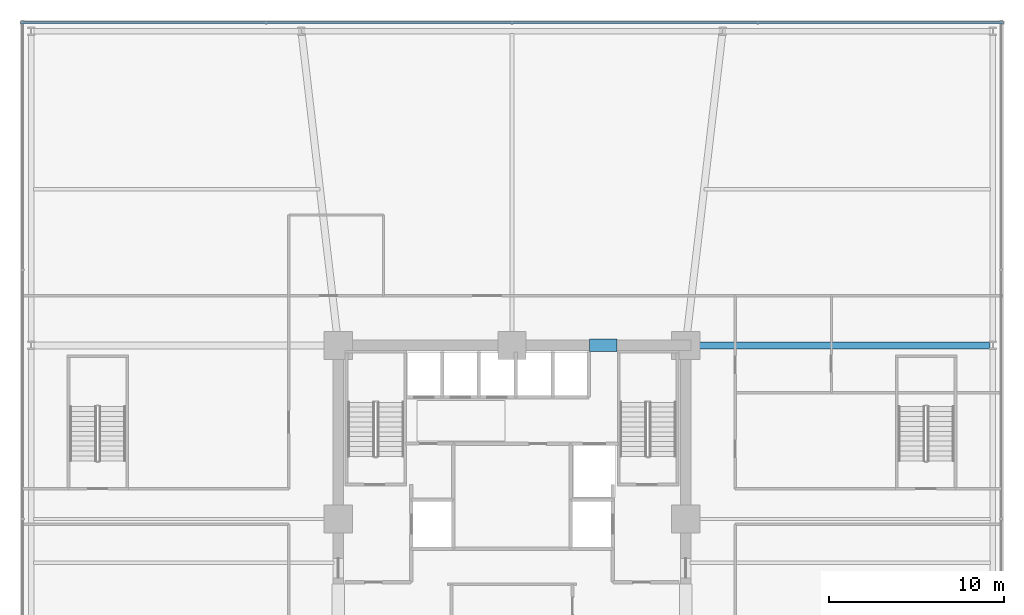
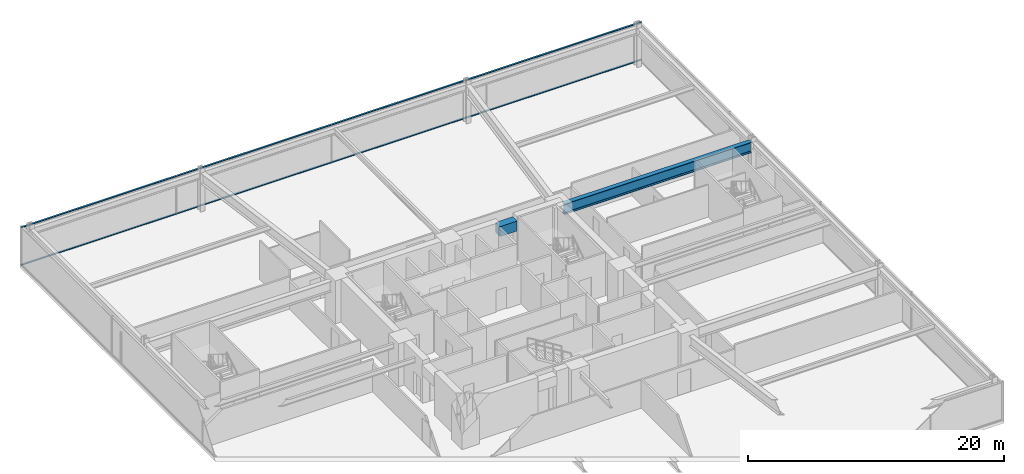
# One storey, part 27 of 39: 2 beams, 2 members, 1 element without a shape of its own.
"""IFC4 building model written with IfcOpenShell, lengths in metres."""

from ifc_helpers import new_model, si_unit, direction, frame, origin, origin_2d, place, context, subcontext, project, spatial, rectangle, hollow_rectangle, i_section, extrude, material, material_profile, profile_set, type_object, element, aggregate, save


model = new_model("IFC4")

# Units and contexts
model_context = context("Model", 3, precision=1e-05, world=origin(), true_north=direction((0.0, 1.0)))
body_context = subcontext(model_context, "Body", "Model", "MODEL_VIEW")
ifc_project = project(units=[si_unit("LENGTHUNIT", "METRE"), si_unit("AREAUNIT", "SQUARE_METRE"), si_unit("VOLUMEUNIT", "CUBIC_METRE"), si_unit("PLANEANGLEUNIT", "RADIAN"), si_unit("MASSUNIT", "GRAM", prefix="KILO")], contexts=[model_context])

# Site, building, storey
site_placement = place(None, origin())
site = spatial("IfcSite", under=ifc_project, at=site_placement, CompositionType="ELEMENT")
building_placement = place(site_placement, origin())
building = spatial("IfcBuilding", under=site, at=building_placement, Name="Kolvaren Belvedere", CompositionType="ELEMENT")
storey_placement = place(building_placement, frame((0.0, 0.0, 15.199951171875)))
storey = spatial("IfcBuildingStorey", under=building, at=storey_placement, Name="L04", CompositionType="ELEMENT", Elevation=15.199951171875)

# Beams
ifc_material_1 = material(Name="Structural steel ASTM A992 Grade 50", Category="steel")
ifc_material_profile_1 = material_profile(ifc_material_1, i_section(OverallWidth=0.40087890625, OverallDepth=1.010986328125, WebThickness=0.023681640625, FlangeThickness=0.0419921875, FilletRadius=0.030029296875, at=origin_2d()), Name="W40X297")
ifc_profile_set_1 = profile_set([ifc_material_profile_1], Name="Structural steel ASTM A992 Grade 50")
beam_type_1 = type_object("IfcBeamType", Name="BM-BALL-W40X297", PredefinedType="BEAM", material=ifc_profile_set_1)
beam_1_placement = place(storey_placement, frame((10.35009765625, 9.89990234375, 3.194580078125), z_axis=(1.0, 0.0, 0.0), x_axis=(0.0, 1.0, 0.0)))
element("IfcBeam", 1, at=beam_1_placement, inside=storey, type_object=beam_type_1, Name="L04 East Interior Girder N", PredefinedType="BEAM", context=body_context, shape_type="SweptSolid", body=[
    extrude(i_section(OverallWidth=0.40087890625, OverallDepth=1.010986328125, WebThickness=0.023681640625, FlangeThickness=0.0419921875, FilletRadius=0.030029296875, at=origin_2d()), origin(), (0.0, 0.0, 1.0), 16.89990234375),
])
ifc_material_2 = material(Name="Concrete C60/75", Category="concrete")
ifc_material_profile_2 = material_profile(ifc_material_2, rectangle(XDim=0.699951171875, YDim=0.949951171875, at=origin_2d()), Name="RC 700X950")
ifc_profile_set_2 = profile_set([ifc_material_profile_2], Name="Concrete C60/75")
beam_type_2 = type_object("IfcBeamType", Name="BM-LINT-950", PredefinedType="LINTEL", material=ifc_profile_set_2)
beam_2_placement = place(storey_placement, frame((4.419921875, 9.89990234375, 3.22509765625), z_axis=(1.0, 0.0, 0.0), x_axis=(0.0, 1.0, 0.0)))
element("IfcBeam", 2, at=beam_2_placement, inside=storey, type_object=beam_type_2, Name="L04 North Core Coupling Lintel", PredefinedType="LINTEL", context=body_context, shape_type="SweptSolid", body=[
    extrude(rectangle(XDim=0.699951171875, YDim=0.949951171875, at=origin_2d()), origin(), (0.0, 0.0, 1.0), 1.56005859375),
])

# Curtain wall, members
ifc_material_3 = material(Name="Anodised pale-metal aluminium AA 6063-T6", Category="aluminium")
curtain_wall_type = type_object("IfcCurtainWallType", Name="CW-POD-A", PredefinedType="NOTDEFINED", material=ifc_material_3)
curtain_wall_placement = place(storey_placement, origin())
curtain_wall = element("IfcCurtainWall", 3, at=curtain_wall_placement, inside=storey, type_object=curtain_wall_type, Name="L04 Unitised Curtain Wall FCW-L04-N", PredefinedType="NOTDEFINED")
ifc_material_4 = material(Name="Anodised pale-metal aluminium AA 6063-T6", Category="aluminium")
ifc_material_profile_3 = material_profile(ifc_material_4, hollow_rectangle(XDim=0.06494140625, YDim=0.159912109375, WallThickness=0.00390625, at=origin_2d()), Name="ALU-TRN-160X65")
ifc_profile_set_3 = profile_set([ifc_material_profile_3], Name="Anodised pale-metal aluminium AA 6063-T6")
member_type = type_object("IfcMemberType", Name="CW-TRN-160", PredefinedType="USERDEFINED", material=ifc_profile_set_3)
member_1_placement = place(storey_placement, frame((-28.0, 28.280029296875, 0.06005859375), z_axis=(1.0, 0.0, 0.0), x_axis=(0.0, 0.0, 1.0)))
member_1 = element("IfcMember", 4, at=member_1_placement, type_object=member_type, Name="FCW-L04-N Sill Transom", ObjectType="TRANSOM", PredefinedType="USERDEFINED", context=body_context, shape_type="SweptSolid", body=[
    extrude(hollow_rectangle(XDim=0.06494140625, YDim=0.159912109375, WallThickness=0.00390625, at=origin_2d()), origin(), (0.0, 0.0, 1.0), 56.0),
])
member_2_placement = place(storey_placement, frame((-28.0, 28.280029296875, 3.64013671875), z_axis=(1.0, 0.0, 0.0), x_axis=(0.0, 0.0, 1.0)))
member_2 = element("IfcMember", 5, at=member_2_placement, type_object=member_type, Name="FCW-L04-N Head Transom", ObjectType="TRANSOM", PredefinedType="USERDEFINED", context=body_context, shape_type="SweptSolid", body=[
    extrude(hollow_rectangle(XDim=0.06494140625, YDim=0.159912109375, WallThickness=0.00390625, at=origin_2d()), origin(), (0.0, 0.0, 1.0), 56.0),
])
aggregate(curtain_wall, [member_1, member_2])

save(model, "model.ifc")
